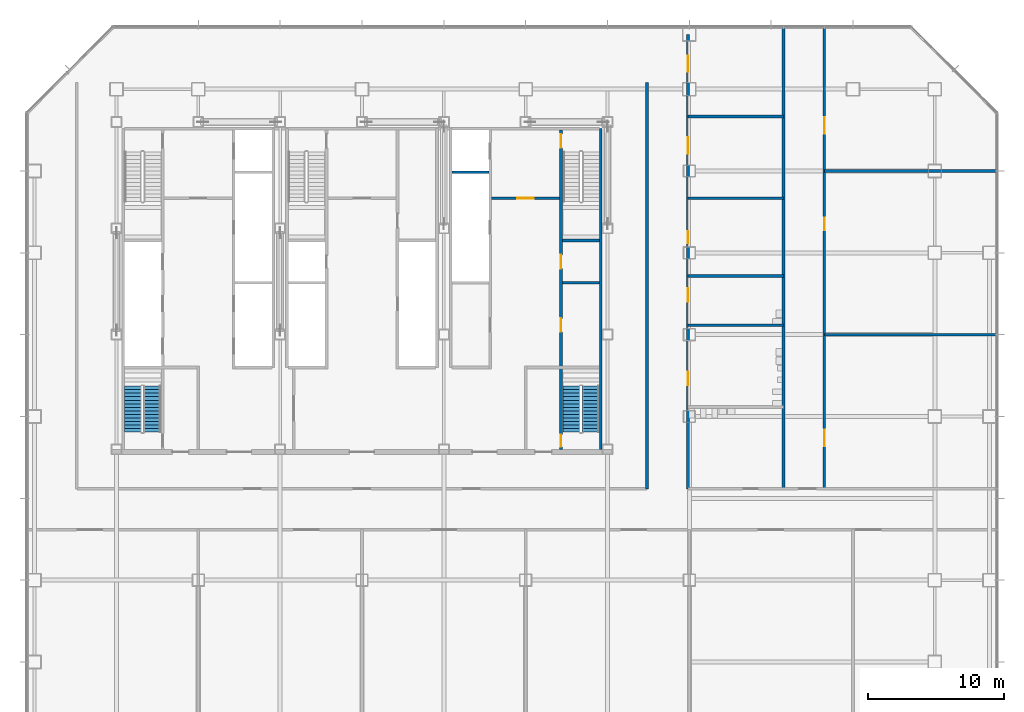
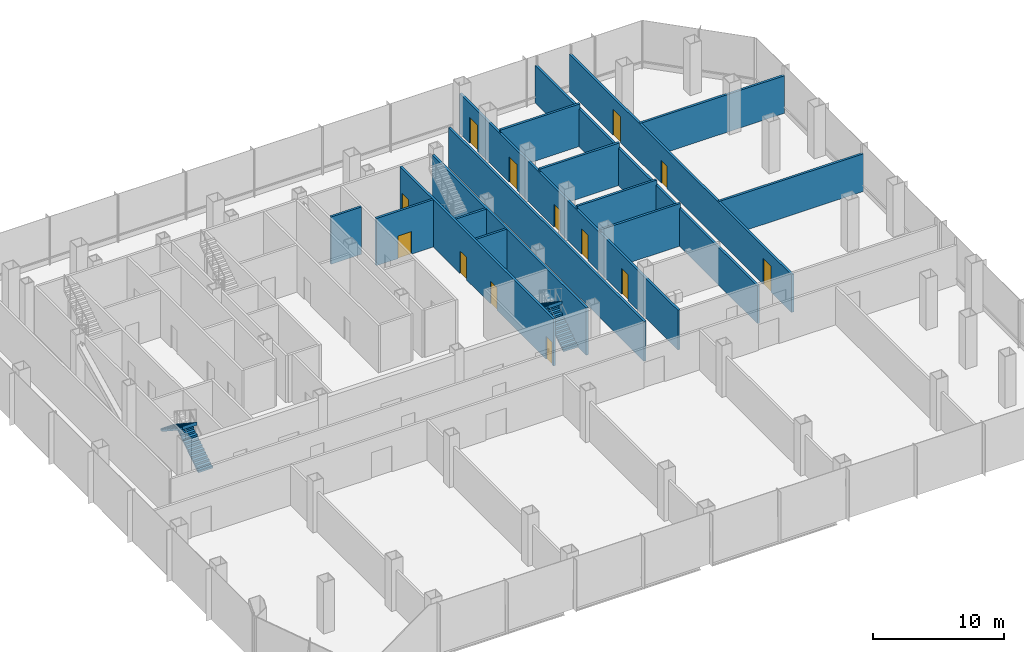
# One storey, part 25 of 33: 16 walls, 13 doors, 4 stair flights, 13 openings, 2 elements without a shape of their own.
"""IFC4 building model written with IfcOpenShell, lengths in metres."""

from ifc_helpers import new_model, si_unit, direction, frame, frame_2d, origin, place, context, subcontext, project, spatial, polyline, rectangle, outline, extrude, material, layer, layer_set, type_object, element, fill, aggregate, save


model = new_model("IFC4")

# Units and contexts
model_context = context("Model", 3, precision=1e-05, world=origin(), true_north=direction((0.0, 1.0)))
body_context = subcontext(model_context, "Body", "Model", "MODEL_VIEW")
ifc_project = project(units=[si_unit("LENGTHUNIT", "METRE"), si_unit("AREAUNIT", "SQUARE_METRE"), si_unit("VOLUMEUNIT", "CUBIC_METRE"), si_unit("PLANEANGLEUNIT", "RADIAN"), si_unit("MASSUNIT", "GRAM", prefix="KILO")], contexts=[model_context])

# Site, building, storey
site_placement = place(None, origin())
site = spatial("IfcSite", under=ifc_project, at=site_placement, CompositionType="ELEMENT")
building_placement = place(site_placement, origin())
building = spatial("IfcBuilding", under=site, at=building_placement, Name="Sorahane Residences", CompositionType="ELEMENT")
storey_placement = place(building_placement, frame((0.0, 0.0, 30.0)))
storey = spatial("IfcBuildingStorey", under=building, at=storey_placement, Name="L04", CompositionType="ELEMENT", Elevation=30.0)

# Walls
ifc_material_1 = material(Name="Concrete C30", Category="concrete")
ifc_layer_1 = layer(ifc_material_1, 0.199951171875)
ifc_layer_set_1 = layer_set([ifc_layer_1], Name="Core face wall 200 EI 180")
wall_type_1 = type_object("IfcWallType", Name="Core face wall 200 EI 180", PredefinedType="SOLIDWALL", material=ifc_layer_set_1)
wall_1_placement = place(storey_placement, frame((41.5, 21.60009765625, 0.0), z_axis=(0.0, 0.0, 1.0), x_axis=(0.0, 1.0, 0.0)))
element("IfcWall", 1, at=wall_1_placement, inside=storey, type_object=wall_type_1, Name="L04 core face wall", PredefinedType="SOLIDWALL", context=body_context, shape_type="SweptSolid", body=[
    extrude(rectangle(XDim=23.5, YDim=0.199951171875, at=frame_2d((11.75, 0.0))), origin(), (0.0, 0.0, 1.0), 4.39990234375),
])
ifc_material_2 = material(Name="Concrete blockwork C20 wall", Category="masonry")
ifc_layer_2 = layer(ifc_material_2, 0.199951171875)
ifc_layer_set_2 = layer_set([ifc_layer_2], Name="Corridor wall 200 EI 120")
wall_type_2 = type_object("IfcWallType", Name="Corridor wall 200 EI 120", PredefinedType="SOLIDWALL", material=ifc_layer_set_2)
wall_2_placement = place(storey_placement, frame((44.89990234375, 18.699951171875, 0.0), z_axis=(0.0, 0.0, 1.0), x_axis=(0.0, 1.0, 0.0)))
element("IfcWall", 2, at=wall_2_placement, inside=storey, type_object=wall_type_2, Name="L04 corridor wall", PredefinedType="SOLIDWALL", context=body_context, shape_type="SweptSolid", body=[
    extrude(rectangle(XDim=29.800048828125, YDim=0.199951171875, at=frame_2d((14.89990234375, 0.0))), origin(), (0.0, 0.0, 1.0), 3.699951171875),
])

# Wall, openings, doors
wall_3_placement = place(storey_placement, frame((47.89990234375, 18.699951171875, 0.0), z_axis=(0.0, 0.0, 1.0), x_axis=(0.0, 1.0, 0.0)))
wall_3 = element("IfcWall", 3, at=wall_3_placement, inside=storey, type_object=wall_type_2, Name="L04 corridor wall", PredefinedType="SOLIDWALL", context=body_context, shape_type="SweptSolid", body=[
    extrude(rectangle(XDim=33.300048828125, YDim=0.199951171875, at=frame_2d((16.64990234375, 0.0))), origin(), (0.0, 0.0, 1.0), 3.699951171875),
])
opening_1_placement = place(wall_3_placement, frame((7.60009765625, 0.0, 0.0)))
opening_1 = element("IfcOpeningElement", 4, at=opening_1_placement, cuts=wall_3, Name="Opening L04-08", PredefinedType="OPENING", context=body_context, shape_type="SweptSolid", body=[
    extrude(rectangle(XDim=1.0, YDim=2.39990234375, at=frame_2d((0.5, 1.199951171875))), frame((0.0, 0.10986328125, 0.0), z_axis=(0.0, -1.0, 0.0), x_axis=(1.0, 0.0, 0.0)), (0.0, 0.0, 1.0), 0.219970703125),
])
opening_2_placement = place(wall_3_placement, frame((13.719970703125, 0.0, 0.0)))
opening_2 = element("IfcOpeningElement", 5, at=opening_2_placement, cuts=wall_3, Name="Opening L04-09", PredefinedType="OPENING", context=body_context, shape_type="SweptSolid", body=[
    extrude(rectangle(XDim=1.0, YDim=2.39990234375, at=frame_2d((0.5, 1.199951171875))), frame((0.0, 0.10986328125, 0.0), z_axis=(0.0, -1.0, 0.0), x_axis=(1.0, 0.0, 0.0)), (0.0, 0.0, 1.0), 0.219970703125),
])
opening_3_placement = place(wall_3_placement, frame((18.0, 0.0, 0.0)))
opening_3 = element("IfcOpeningElement", 6, at=opening_3_placement, cuts=wall_3, Name="Opening L04-10", PredefinedType="OPENING", context=body_context, shape_type="SweptSolid", body=[
    extrude(rectangle(XDim=0.89990234375, YDim=2.10009765625, at=frame_2d((0.449951171875, 1.050048828125))), frame((0.0, 0.10986328125, 0.0), z_axis=(0.0, -1.0, 0.0), x_axis=(1.0, 0.0, 0.0)), (0.0, 0.0, 1.0), 0.219970703125),
])
opening_4_placement = place(wall_3_placement, frame((24.56005859375, 0.0, 0.0)))
opening_4 = element("IfcOpeningElement", 7, at=opening_4_placement, cuts=wall_3, Name="Opening L04-11", PredefinedType="OPENING", context=body_context, shape_type="SweptSolid", body=[
    extrude(rectangle(XDim=1.199951171875, YDim=2.39990234375, at=frame_2d((0.60009765625, 1.199951171875))), frame((0.0, 0.10986328125, 0.0), z_axis=(0.0, -1.0, 0.0), x_axis=(1.0, 0.0, 0.0)), (0.0, 0.0, 1.0), 0.219970703125),
])
opening_5_placement = place(wall_3_placement, frame((30.56005859375, 0.0, 0.0)))
opening_5 = element("IfcOpeningElement", 8, at=opening_5_placement, cuts=wall_3, Name="Opening L04-12", PredefinedType="OPENING", context=body_context, shape_type="SweptSolid", body=[
    extrude(rectangle(XDim=1.199951171875, YDim=2.39990234375, at=frame_2d((0.60009765625, 1.199951171875))), frame((0.0, 0.10986328125, 0.0), z_axis=(0.0, -1.0, 0.0), x_axis=(1.0, 0.0, 0.0)), (0.0, 0.0, 1.0), 0.219970703125),
])
ifc_material_3 = material(Name="Steel", Category="steel")
door_type_1 = type_object("IfcDoorType", Name="Plant door 1200x2400 FD60", OperationType="NOTDEFINED", PredefinedType="DOOR", material=ifc_material_3)
door_1_placement = place(opening_4_placement, frame((1.199951171875, 0.0, 0.0), z_axis=(0.0, 0.0, 1.0), x_axis=(-1.0, 0.0, 0.0)))
door_1 = element("IfcDoor", 9, at=door_1_placement, inside=storey, type_object=door_type_1, Name="Plant door L04-11", OperationType="SINGLE_SWING_LEFT", OverallHeight=2.39990234375, OverallWidth=1.199951171875, PredefinedType="DOOR", context=body_context, shape_type="SweptSolid", body=[
    extrude(rectangle(XDim=1.199951171875, YDim=2.39990234375, at=frame_2d((0.60009765625, 1.199951171875))), frame((0.0, 0.02490234375, 0.0), z_axis=(0.0, -1.0, 0.0), x_axis=(1.0, 0.0, 0.0)), (0.0, 0.0, 1.0), 0.050048828125),
])
fill(opening_4, door_1)
door_2_placement = place(opening_5_placement, frame((1.199951171875, 0.0, 0.0), z_axis=(0.0, 0.0, 1.0), x_axis=(-1.0, 0.0, 0.0)))
door_2 = element("IfcDoor", 10, at=door_2_placement, inside=storey, type_object=door_type_1, Name="Plant door L04-12", OperationType="SINGLE_SWING_LEFT", OverallHeight=2.39990234375, OverallWidth=1.199951171875, PredefinedType="DOOR", context=body_context, shape_type="SweptSolid", body=[
    extrude(rectangle(XDim=1.199951171875, YDim=2.39990234375, at=frame_2d((0.60009765625, 1.199951171875))), frame((0.0, 0.02490234375, 0.0), z_axis=(0.0, -1.0, 0.0), x_axis=(1.0, 0.0, 0.0)), (0.0, 0.0, 1.0), 0.050048828125),
])
fill(opening_5, door_2)
ifc_material_4 = material(Name="Timber veneered fire door", Category="wood")
door_type_2 = type_object("IfcDoorType", Name="Room door 1000x2400 FD30", OperationType="NOTDEFINED", PredefinedType="DOOR", material=ifc_material_4)
door_3_placement = place(opening_1_placement, frame((1.0, 0.0, 0.0), z_axis=(0.0, 0.0, 1.0), x_axis=(-1.0, 0.0, 0.0)))
door_3 = element("IfcDoor", 11, at=door_3_placement, inside=storey, type_object=door_type_2, Name="Room door L04-08", OperationType="SINGLE_SWING_LEFT", OverallHeight=2.39990234375, OverallWidth=1.0, PredefinedType="DOOR", context=body_context, shape_type="SweptSolid", body=[
    extrude(rectangle(XDim=1.0, YDim=2.39990234375, at=frame_2d((0.5, 1.199951171875))), frame((0.0, 0.02490234375, 0.0), z_axis=(0.0, -1.0, 0.0), x_axis=(1.0, 0.0, 0.0)), (0.0, 0.0, 1.0), 0.050048828125),
])
fill(opening_1, door_3)
door_4_placement = place(opening_2_placement, frame((1.0, 0.0, 0.0), z_axis=(0.0, 0.0, 1.0), x_axis=(-1.0, 0.0, 0.0)))
door_4 = element("IfcDoor", 12, at=door_4_placement, inside=storey, type_object=door_type_2, Name="Room door L04-09", OperationType="SINGLE_SWING_RIGHT", OverallHeight=2.39990234375, OverallWidth=1.0, PredefinedType="DOOR", context=body_context, shape_type="SweptSolid", body=[
    extrude(rectangle(XDim=1.0, YDim=2.39990234375, at=frame_2d((0.5, 1.199951171875))), frame((0.0, 0.02490234375, 0.0), z_axis=(0.0, -1.0, 0.0), x_axis=(1.0, 0.0, 0.0)), (0.0, 0.0, 1.0), 0.050048828125),
])
fill(opening_2, door_4)
ifc_material_5 = material(Name="Timber veneered fire door", Category="wood")
door_type_3 = type_object("IfcDoorType", Name="Service door 900x2100 FD30", OperationType="NOTDEFINED", PredefinedType="DOOR", material=ifc_material_5)
door_5_placement = place(opening_3_placement, frame((0.89990234375, 0.0, 0.0), z_axis=(0.0, 0.0, 1.0), x_axis=(-1.0, 0.0, 0.0)))
door_5 = element("IfcDoor", 13, at=door_5_placement, inside=storey, type_object=door_type_3, Name="Service door L04-10", OperationType="SINGLE_SWING_LEFT", OverallHeight=2.10009765625, OverallWidth=0.89990234375, PredefinedType="DOOR", context=body_context, shape_type="SweptSolid", body=[
    extrude(rectangle(XDim=0.89990234375, YDim=2.10009765625, at=frame_2d((0.449951171875, 1.050048828125))), frame((0.0, 0.02490234375, 0.0), z_axis=(0.0, -1.0, 0.0), x_axis=(1.0, 0.0, 0.0)), (0.0, 0.0, 1.0), 0.050048828125),
])
fill(opening_3, door_5)

# Wall
wall_4_placement = place(storey_placement, frame((54.89990234375, 18.699951171875, 0.0), z_axis=(0.0, 0.0, 1.0), x_axis=(0.0, 1.0, 0.0)))
element("IfcWall", 14, at=wall_4_placement, inside=storey, type_object=wall_type_2, Name="L04 corridor wall", PredefinedType="SOLIDWALL", context=body_context, shape_type="SweptSolid", body=[
    extrude(rectangle(XDim=33.900146484375, YDim=0.199951171875, at=frame_2d((16.9501953125, 0.0))), origin(), (0.0, 0.0, 1.0), 3.5),
])

# Wall, openings, doors
wall_5_placement = place(storey_placement, frame((57.89990234375, 18.699951171875, 0.0), z_axis=(0.0, 0.0, 1.0), x_axis=(0.0, 1.0, 0.0)))
wall_5 = element("IfcWall", 15, at=wall_5_placement, inside=storey, type_object=wall_type_2, Name="L04 corridor wall", PredefinedType="SOLIDWALL", context=body_context, shape_type="SweptSolid", body=[
    extrude(rectangle(XDim=33.900146484375, YDim=0.199951171875, at=frame_2d((16.9501953125, 0.0))), origin(), (0.0, 0.0, 1.0), 3.5),
])
opening_6_placement = place(wall_5_placement, frame((3.1298828125, 0.0, 0.0)))
opening_6 = element("IfcOpeningElement", 16, at=opening_6_placement, cuts=wall_5, Name="Opening L04-14", PredefinedType="OPENING", context=body_context, shape_type="SweptSolid", body=[
    extrude(rectangle(XDim=1.199951171875, YDim=2.39990234375, at=frame_2d((0.60009765625, 1.199951171875))), frame((0.0, 0.10986328125, 0.0), z_axis=(0.0, -1.0, 0.0), x_axis=(1.0, 0.0, 0.0)), (0.0, 0.0, 1.0), 0.219970703125),
])
opening_7_placement = place(wall_5_placement, frame((18.969970703125, 0.0, 0.0)))
opening_7 = element("IfcOpeningElement", 17, at=opening_7_placement, cuts=wall_5, Name="Opening L04-15", PredefinedType="OPENING", context=body_context, shape_type="SweptSolid", body=[
    extrude(rectangle(XDim=0.89990234375, YDim=2.10009765625, at=frame_2d((0.449951171875, 1.050048828125))), frame((0.0, 0.10986328125, 0.0), z_axis=(0.0, -1.0, 0.0), x_axis=(1.0, 0.0, 0.0)), (0.0, 0.0, 1.0), 0.219970703125),
])
opening_8_placement = place(wall_5_placement, frame((26.0400390625, 0.0, 0.0)))
opening_8 = element("IfcOpeningElement", 18, at=opening_8_placement, cuts=wall_5, Name="Opening L04-16", PredefinedType="OPENING", context=body_context, shape_type="SweptSolid", body=[
    extrude(rectangle(XDim=1.199951171875, YDim=2.39990234375, at=frame_2d((0.60009765625, 1.199951171875))), frame((0.0, 0.10986328125, 0.0), z_axis=(0.0, -1.0, 0.0), x_axis=(1.0, 0.0, 0.0)), (0.0, 0.0, 1.0), 0.219970703125),
])
door_6_placement = place(opening_6_placement, frame((1.199951171875, 0.0, 0.0), z_axis=(0.0, 0.0, 1.0), x_axis=(-1.0, 0.0, 0.0)))
door_6 = element("IfcDoor", 19, at=door_6_placement, inside=storey, type_object=door_type_1, Name="Plant door L04-14", OperationType="SINGLE_SWING_RIGHT", OverallHeight=2.39990234375, OverallWidth=1.199951171875, PredefinedType="DOOR", context=body_context, shape_type="SweptSolid", body=[
    extrude(rectangle(XDim=1.199951171875, YDim=2.39990234375, at=frame_2d((0.60009765625, 1.199951171875))), frame((0.0, 0.02490234375, 0.0), z_axis=(0.0, -1.0, 0.0), x_axis=(1.0, 0.0, 0.0)), (0.0, 0.0, 1.0), 0.050048828125),
])
fill(opening_6, door_6)
door_7_placement = place(opening_8_placement, frame((1.199951171875, 0.0, 0.0), z_axis=(0.0, 0.0, 1.0), x_axis=(-1.0, 0.0, 0.0)))
door_7 = element("IfcDoor", 20, at=door_7_placement, inside=storey, type_object=door_type_1, Name="Plant door L04-16", OperationType="SINGLE_SWING_LEFT", OverallHeight=2.39990234375, OverallWidth=1.199951171875, PredefinedType="DOOR", context=body_context, shape_type="SweptSolid", body=[
    extrude(rectangle(XDim=1.199951171875, YDim=2.39990234375, at=frame_2d((0.60009765625, 1.199951171875))), frame((0.0, 0.02490234375, 0.0), z_axis=(0.0, -1.0, 0.0), x_axis=(1.0, 0.0, 0.0)), (0.0, 0.0, 1.0), 0.050048828125),
])
fill(opening_8, door_7)
door_8_placement = place(opening_7_placement, frame((0.89990234375, 0.0, 0.0), z_axis=(0.0, 0.0, 1.0), x_axis=(-1.0, 0.0, 0.0)))
door_8 = element("IfcDoor", 21, at=door_8_placement, inside=storey, type_object=door_type_3, Name="Service door L04-15", OperationType="SINGLE_SWING_LEFT", OverallHeight=2.10009765625, OverallWidth=0.89990234375, PredefinedType="DOOR", context=body_context, shape_type="SweptSolid", body=[
    extrude(rectangle(XDim=0.89990234375, YDim=2.10009765625, at=frame_2d((0.449951171875, 1.050048828125))), frame((0.0, 0.02490234375, 0.0), z_axis=(0.0, -1.0, 0.0), x_axis=(1.0, 0.0, 0.0)), (0.0, 0.0, 1.0), 0.050048828125),
])
fill(opening_7, door_8)

# Walls
wall_6_placement = place(storey_placement, frame((57.89990234375, 30.0, 0.0), z_axis=(0.0, 0.0, 1.0), x_axis=(1.0, 0.0, 0.0)))
element("IfcWall", 22, at=wall_6_placement, inside=storey, type_object=wall_type_2, Name="L04 corridor wall", PredefinedType="SOLIDWALL", context=body_context, shape_type="SweptSolid", body=[
    extrude(rectangle(XDim=12.7001953125, YDim=0.199951171875, at=frame_2d((6.35009765625, 0.0))), origin(), (0.0, 0.0, 1.0), 3.5),
])
for number, where, z_axis, x_axis, name in (
    (23, (47.89990234375, 30.699951171875, 0.0), (0.0, 0.0, 1.0), (1.0, 0.0, 0.0), "L04 corridor wall"),
    (24, (47.89990234375, 34.300048828125, 0.0), (0.0, 0.0, 1.0), (1.0, 0.0, 0.0), "L04 corridor wall"),
    (25, (47.89990234375, 40.0, 0.0), (0.0, 0.0, 1.0), (1.0, 0.0, 0.0), "L04 corridor wall"),
):
    element("IfcWall", number, at=place(storey_placement, frame(where, z_axis=z_axis, x_axis=x_axis)), inside=storey, type_object=wall_type_2, Name=name, PredefinedType="SOLIDWALL", context=body_context, shape_type="SweptSolid", body=[
        extrude(rectangle(XDim=7.0, YDim=0.199951171875, at=frame_2d((3.5, 0.0))), origin(), (0.0, 0.0, 1.0), 3.949951171875),
    ])
wall_7_placement = place(storey_placement, frame((57.89990234375, 42.0, 0.0), z_axis=(0.0, 0.0, 1.0), x_axis=(1.0, 0.0, 0.0)))
element("IfcWall", 26, at=wall_7_placement, inside=storey, type_object=wall_type_2, Name="L04 corridor wall", PredefinedType="SOLIDWALL", context=body_context, shape_type="SweptSolid", body=[
    extrude(rectangle(XDim=12.7001953125, YDim=0.199951171875, at=frame_2d((6.35009765625, 0.0))), origin(), (0.0, 0.0, 1.0), 3.5),
])
wall_8_placement = place(storey_placement, frame((47.89990234375, 46.0, 0.0), z_axis=(0.0, 0.0, 1.0), x_axis=(1.0, 0.0, 0.0)))
element("IfcWall", 27, at=wall_8_placement, inside=storey, type_object=wall_type_2, Name="L04 corridor wall", PredefinedType="SOLIDWALL", context=body_context, shape_type="SweptSolid", body=[
    extrude(rectangle(XDim=7.0, YDim=0.199951171875, at=frame_2d((3.5, 0.0))), origin(), (0.0, 0.0, 1.0), 3.949951171875),
])

# Wall, opening, door
ifc_material_6 = material(Name="Concrete C30", Category="concrete")
ifc_layer_3 = layer(ifc_material_6, 0.199951171875)
ifc_layer_set_3 = layer_set([ifc_layer_3], Name="Front room wall 200 EI 120")
wall_type_3 = type_object("IfcWallType", Name="Front room wall 200 EI 120", PredefinedType="PARTITIONING", material=ifc_layer_set_3)
wall_9_placement = place(storey_placement, frame((33.5, 40.0, 0.0), z_axis=(0.0, 0.0, 1.0), x_axis=(1.0, 0.0, 0.0)))
wall_9 = element("IfcWall", 28, at=wall_9_placement, inside=storey, type_object=wall_type_3, Name="L04 front room wall", PredefinedType="PARTITIONING", context=body_context, shape_type="SweptSolid", body=[
    extrude(rectangle(XDim=5.0, YDim=0.199951171875, at=frame_2d((2.5, 0.0))), origin(), (0.0, 0.0, 1.0), 4.39990234375),
])
opening_9_placement = place(wall_9_placement, frame((1.89990234375, 0.0, 0.0)))
opening_9 = element("IfcOpeningElement", 29, at=opening_9_placement, cuts=wall_9, Name="Opening L04-C09", PredefinedType="OPENING", context=body_context, shape_type="SweptSolid", body=[
    extrude(rectangle(XDim=1.199951171875, YDim=2.10009765625, at=frame_2d((0.60009765625, 1.050048828125))), frame((0.0, 0.10986328125, 0.0), z_axis=(0.0, -1.0, 0.0), x_axis=(1.0, 0.0, 0.0)), (0.0, 0.0, 1.0), 0.219970703125),
])
ifc_material_7 = material(Name="Steel", Category="steel")
door_type_4 = type_object("IfcDoorType", Name="Front room door 1200x2100 FD120", OperationType="NOTDEFINED", PredefinedType="DOOR", material=ifc_material_7)
door_9_placement = place(opening_9_placement, frame((1.199951171875, 0.0, 0.0), z_axis=(0.0, 0.0, 1.0), x_axis=(-1.0, 0.0, 0.0)))
door_9 = element("IfcDoor", 30, at=door_9_placement, inside=storey, type_object=door_type_4, Name="Front room door Firefighting lobby FF2 front room L04", OperationType="DOUBLE_DOOR_SINGLE_SWING", OverallHeight=2.10009765625, OverallWidth=1.199951171875, PredefinedType="DOOR", context=body_context, shape_type="SweptSolid", body=[
    extrude(rectangle(XDim=1.199951171875, YDim=2.10009765625, at=frame_2d((0.60009765625, 1.050048828125))), frame((0.0, 0.02490234375, 0.0), z_axis=(0.0, -1.0, 0.0), x_axis=(1.0, 0.0, 0.0)), (0.0, 0.0, 1.0), 0.050048828125),
])
fill(opening_9, door_9)

# Walls
ifc_material_8 = material(Name="Concrete C30", Category="concrete")
ifc_layer_4 = layer(ifc_material_8, 0.199951171875)
ifc_layer_set_4 = layer_set([ifc_layer_4], Name="Lift shaft wall 200 EI 120")
wall_type_4 = type_object("IfcWallType", Name="Lift shaft wall 200 EI 120", PredefinedType="SOLIDWALL", material=ifc_layer_set_4)
wall_10_placement = place(storey_placement, frame((30.60009765625, 41.89990234375, 0.0), z_axis=(0.0, 0.0, 1.0), x_axis=(1.0, 0.0, 0.0)))
element("IfcWall", 31, at=wall_10_placement, inside=storey, type_object=wall_type_4, Name="L04 lift shaft wall", PredefinedType="SOLIDWALL", context=body_context, shape_type="SweptSolid", body=[
    extrude(rectangle(XDim=2.699951171875, YDim=0.199951171875, at=frame_2d((1.35009765625, 0.0))), origin(), (0.0, 0.0, 1.0), 4.39990234375),
])
ifc_material_9 = material(Name="Concrete C30", Category="concrete")
ifc_layer_5 = layer(ifc_material_9, 0.199951171875)
ifc_layer_set_5 = layer_set([ifc_layer_5], Name="Service room partition 200 EI 60")
wall_type_5 = type_object("IfcWallType", Name="Service room partition 200 EI 60", PredefinedType="PARTITIONING", material=ifc_layer_set_5)
wall_11_placement = place(storey_placement, frame((38.699951171875, 33.800048828125, 0.0), z_axis=(0.0, 0.0, 1.0), x_axis=(1.0, 0.0, 0.0)))
element("IfcWall", 32, at=wall_11_placement, inside=storey, type_object=wall_type_5, Name="L04 service room wall", PredefinedType="PARTITIONING", context=body_context, shape_type="SweptSolid", body=[
    extrude(rectangle(XDim=2.699951171875, YDim=0.199951171875, at=frame_2d((1.35009765625, 0.0))), origin(), (0.0, 0.0, 1.0), 4.39990234375),
])

# Wall, openings, doors
ifc_material_10 = material(Name="Concrete C30", Category="concrete")
ifc_layer_6 = layer(ifc_material_10, 0.199951171875)
ifc_layer_set_6 = layer_set([ifc_layer_6], Name="Stair enclosure wall 200 EI 120")
wall_type_6 = type_object("IfcWallType", Name="Stair enclosure wall 200 EI 120", PredefinedType="SOLIDWALL", material=ifc_layer_set_6)
wall_12_placement = place(storey_placement, frame((38.60009765625, 21.60009765625, 0.0), z_axis=(0.0, 0.0, 1.0), x_axis=(0.0, 1.0, 0.0)))
wall_12 = element("IfcWall", 33, at=wall_12_placement, inside=storey, type_object=wall_type_6, Name="L04 stair enclosure wall", PredefinedType="SOLIDWALL", context=body_context, shape_type="SweptSolid", body=[
    extrude(rectangle(XDim=23.39990234375, YDim=0.199951171875, at=frame_2d((11.699951171875, 0.0))), origin(), (0.0, 0.0, 1.0), 4.39990234375),
])
opening_10_placement = place(wall_12_placement, frame((8.60009765625, 0.0, 0.0)))
opening_10 = element("IfcOpeningElement", 34, at=opening_10_placement, cuts=wall_12, Name="Opening L04-C17", PredefinedType="OPENING", context=body_context, shape_type="SweptSolid", body=[
    extrude(rectangle(XDim=1.0, YDim=2.10009765625, at=frame_2d((0.5, 1.050048828125))), frame((0.0, 0.10986328125, 0.0), z_axis=(0.0, -1.0, 0.0), x_axis=(1.0, 0.0, 0.0)), (0.0, 0.0, 1.0), 0.219970703125),
])
opening_11_placement = place(wall_12_placement, frame((13.25, 0.0, 0.0)))
opening_11 = element("IfcOpeningElement", 35, at=opening_11_placement, cuts=wall_12, Name="Opening L04-C18", PredefinedType="OPENING", context=body_context, shape_type="SweptSolid", body=[
    extrude(rectangle(XDim=1.0, YDim=2.10009765625, at=frame_2d((0.5, 1.050048828125))), frame((0.0, 0.10986328125, 0.0), z_axis=(0.0, -1.0, 0.0), x_axis=(1.0, 0.0, 0.0)), (0.0, 0.0, 1.0), 0.219970703125),
])
opening_12_placement = place(wall_12_placement, frame((22.10009765625, 0.0, 0.0)))
opening_12 = element("IfcOpeningElement", 36, at=opening_12_placement, cuts=wall_12, Name="Opening L04-C21", PredefinedType="OPENING", context=body_context, shape_type="SweptSolid", body=[
    extrude(rectangle(XDim=1.0, YDim=2.10009765625, at=frame_2d((0.5, 1.050048828125))), frame((0.0, 0.10986328125, 0.0), z_axis=(0.0, -1.0, 0.0), x_axis=(1.0, 0.0, 0.0)), (0.0, 0.0, 1.0), 0.219970703125),
])
opening_13_placement = place(wall_12_placement, frame((0.175048828125, 0.0, 0.0)))
opening_13 = element("IfcOpeningElement", 37, at=opening_13_placement, cuts=wall_12, Name="Opening L04-C24", PredefinedType="OPENING", context=body_context, shape_type="SweptSolid", body=[
    extrude(rectangle(XDim=0.89990234375, YDim=2.10009765625, at=frame_2d((0.449951171875, 1.050048828125))), frame((0.0, 0.10986328125, 0.0), z_axis=(0.0, -1.0, 0.0), x_axis=(1.0, 0.0, 0.0)), (0.0, 0.0, 1.0), 0.219970703125),
])
ifc_material_11 = material(Name="Steel", Category="steel")
door_type_5 = type_object("IfcDoorType", Name="Service room door 1000x2100 FD60", OperationType="NOTDEFINED", PredefinedType="DOOR", material=ifc_material_11)
door_10_placement = place(opening_10_placement, frame((1.0, 0.0, 0.0), z_axis=(0.0, 0.0, 1.0), x_axis=(-1.0, 0.0, 0.0)))
door_10 = element("IfcDoor", 38, at=door_10_placement, inside=storey, type_object=door_type_5, Name="Service room door Guest suite store L04", OperationType="SINGLE_SWING_RIGHT", OverallHeight=2.10009765625, OverallWidth=1.0, PredefinedType="DOOR", context=body_context, shape_type="SweptSolid", body=[
    extrude(rectangle(XDim=1.0, YDim=2.10009765625, at=frame_2d((0.5, 1.050048828125))), frame((0.0, 0.02490234375, 0.0), z_axis=(0.0, -1.0, 0.0), x_axis=(1.0, 0.0, 0.0)), (0.0, 0.0, 1.0), 0.050048828125),
])
fill(opening_10, door_10)
door_11_placement = place(opening_11_placement, frame((1.0, 0.0, 0.0), z_axis=(0.0, 0.0, 1.0), x_axis=(-1.0, 0.0, 0.0)))
door_11 = element("IfcDoor", 39, at=door_11_placement, inside=storey, type_object=door_type_5, Name="Service room door Guest suite store L04", OperationType="SINGLE_SWING_LEFT", OverallHeight=2.10009765625, OverallWidth=1.0, PredefinedType="DOOR", context=body_context, shape_type="SweptSolid", body=[
    extrude(rectangle(XDim=1.0, YDim=2.10009765625, at=frame_2d((0.5, 1.050048828125))), frame((0.0, 0.02490234375, 0.0), z_axis=(0.0, -1.0, 0.0), x_axis=(1.0, 0.0, 0.0)), (0.0, 0.0, 1.0), 0.050048828125),
])
fill(opening_11, door_11)
ifc_material_12 = material(Name="Steel", Category="steel")
door_type_6 = type_object("IfcDoorType", Name="Stair door 1000x2100 FD120", OperationType="NOTDEFINED", PredefinedType="DOOR", material=ifc_material_12)
door_12_placement = place(opening_12_placement, frame((1.0, 0.0, 0.0), z_axis=(0.0, 0.0, 1.0), x_axis=(-1.0, 0.0, 0.0)))
door_12 = element("IfcDoor", 40, at=door_12_placement, inside=storey, type_object=door_type_6, Name="Stair door S2 L04", OperationType="SINGLE_SWING_LEFT", OverallHeight=2.10009765625, OverallWidth=1.0, PredefinedType="DOOR", context=body_context, shape_type="SweptSolid", body=[
    extrude(rectangle(XDim=1.0, YDim=2.10009765625, at=frame_2d((0.5, 1.050048828125))), frame((0.0, 0.02490234375, 0.0), z_axis=(0.0, -1.0, 0.0), x_axis=(1.0, 0.0, 0.0)), (0.0, 0.0, 1.0), 0.050048828125),
])
fill(opening_12, door_12)
ifc_material_13 = material(Name="Steel", Category="steel")
door_type_7 = type_object("IfcDoorType", Name="Stair door 900x2100 FD120", OperationType="NOTDEFINED", PredefinedType="DOOR", material=ifc_material_13)
door_13_placement = place(opening_13_placement, frame((0.89990234375, 0.0, 0.0), z_axis=(0.0, 0.0, 1.0), x_axis=(-1.0, 0.0, 0.0)))
door_13 = element("IfcDoor", 41, at=door_13_placement, inside=storey, type_object=door_type_7, Name="Stair door S5 L04", OperationType="SINGLE_SWING_LEFT", OverallHeight=2.10009765625, OverallWidth=0.89990234375, PredefinedType="DOOR", context=body_context, shape_type="SweptSolid", body=[
    extrude(rectangle(XDim=0.89990234375, YDim=2.10009765625, at=frame_2d((0.449951171875, 1.050048828125))), frame((0.0, 0.02490234375, 0.0), z_axis=(0.0, -1.0, 0.0), x_axis=(1.0, 0.0, 0.0)), (0.0, 0.0, 1.0), 0.050048828125),
])
fill(opening_13, door_13)

# Wall
wall_13_placement = place(storey_placement, frame((38.699951171875, 36.89990234375, 0.0), z_axis=(0.0, 0.0, 1.0), x_axis=(1.0, 0.0, 0.0)))
element("IfcWall", 42, at=wall_13_placement, inside=storey, type_object=wall_type_6, Name="L04 stair enclosure wall", PredefinedType="SOLIDWALL", context=body_context, shape_type="SweptSolid", body=[
    extrude(rectangle(XDim=2.699951171875, YDim=0.199951171875, at=frame_2d((1.35009765625, 0.0))), origin(), (0.0, 0.0, 1.0), 4.39990234375),
])

# Stair, stair flights
ifc_material_14 = material(Name="Concrete C40", Category="concrete")
stair_type = type_object("IfcStairType", Name="Dog-leg stair 1250 Concrete C40", PredefinedType="HALF_TURN_STAIR", material=ifc_material_14)
stair_1_placement = place(storey_placement, origin())
stair_1 = element("IfcStair", 43, at=stair_1_placement, inside=storey, type_object=stair_type, Name="L04 Stair S4", PredefinedType="HALF_TURN_STAIR")
ifc_material_15 = material(Name="Concrete C40", Category="concrete")
stair_flight_type = type_object("IfcStairFlightType", Name="Stair flight 1250 Concrete C40", PredefinedType="STRAIGHT", material=ifc_material_15)
stair_flight_1_placement = place(storey_placement, frame((8.625, 22.85009765625, 0.0), z_axis=(0.0, 0.0, 1.0), x_axis=(0.0, 1.0, 0.0)))
stair_flight_1 = element("IfcStairFlight", 44, at=stair_flight_1_placement, type_object=stair_flight_type, Name="S4 flight 1", NumberOfRisers=14, NumberOfTreads=13, PredefinedType="STRAIGHT", RiserHeight=0.171428571, TreadLength=0.26, context=body_context, shape_type="SweptSolid", body=[
    extrude(outline(polyline([(-0.00146484375, 0.0), (-0.00146484375, 0.17138671875), (0.0, 0.17138671875), (0.260009765625, 0.17138671875), (0.260009765625, 0.3427734375), (0.52001953125, 0.3427734375), (0.52001953125, 0.514404296875), (0.780029296875, 0.514404296875), (0.780029296875, 0.685791015625), (1.0400390625, 0.685791015625), (1.0400390625, 0.857177734375), (1.300048828125, 0.857177734375), (1.300048828125, 1.028564453125), (1.56005859375, 1.028564453125), (1.56005859375, 1.199951171875), (1.820068359375, 1.199951171875), (1.820068359375, 1.371337890625), (2.080078125, 1.371337890625), (2.080078125, 1.54296875), (2.340087890625, 1.54296875), (2.340087890625, 1.71435546875), (2.60009765625, 1.71435546875), (2.60009765625, 1.8857421875), (2.860107421875, 1.8857421875), (2.860107421875, 2.05712890625), (3.1201171875, 2.05712890625), (3.1201171875, 2.228515625), (3.3798828125, 2.228515625), (3.3798828125, 2.39990234375), (3.3798828125, 2.084716796875), (3.169189453125, 1.94580078125), (2.95849609375, 1.806640625), (2.74755859375, 1.667724609375), (2.536865234375, 1.52880859375), (2.326171875, 1.389892578125), (2.115234375, 1.250732421875), (1.904541015625, 1.11181640625), (1.693603515625, 0.972900390625), (1.48291015625, 0.833984375), (1.272216796875, 0.69482421875), (1.061279296875, 0.555908203125), (0.8505859375, 0.4169921875), (0.639892578125, 0.278076171875), (0.428955078125, 0.138916015625), (0.21826171875, 0.0), (-0.00146484375, 0.0)])), frame((0.0, 0.625, 0.0), z_axis=(0.0, -1.0, 0.0), x_axis=(1.0, 0.0, 0.0)), (0.0, 0.0, 1.0), 1.25),
])
stair_flight_2_placement = place(storey_placement, frame((7.22509765625, 26.22998046875, 2.39990234375), z_axis=(0.0, 0.0, 1.0), x_axis=(0.0, -1.0, 0.0)))
stair_flight_2 = element("IfcStairFlight", 45, at=stair_flight_2_placement, type_object=stair_flight_type, Name="S4 flight 2", NumberOfRisers=14, NumberOfTreads=13, PredefinedType="STRAIGHT", RiserHeight=0.171428571, TreadLength=0.26, context=body_context, shape_type="SweptSolid", body=[
    extrude(outline(polyline([(0.0, 0.0), (0.0, 0.17138671875), (0.260009765625, 0.17138671875), (0.260009765625, 0.3427734375), (0.52001953125, 0.3427734375), (0.52001953125, 0.514404296875), (0.780029296875, 0.514404296875), (0.780029296875, 0.685791015625), (1.0400390625, 0.685791015625), (1.0400390625, 0.857177734375), (1.300048828125, 0.857177734375), (1.300048828125, 1.028564453125), (1.56005859375, 1.028564453125), (1.56005859375, 1.199951171875), (1.820068359375, 1.199951171875), (1.820068359375, 1.371337890625), (2.080078125, 1.371337890625), (2.080078125, 1.54296875), (2.340087890625, 1.54296875), (2.340087890625, 1.71435546875), (2.60009765625, 1.71435546875), (2.60009765625, 1.8857421875), (2.860107421875, 1.8857421875), (2.860107421875, 2.05712890625), (3.1201171875, 2.05712890625), (3.1201171875, 2.228515625), (3.3798828125, 2.228515625), (3.3798828125, 2.39990234375), (3.381591796875, 2.39990234375), (3.381591796875, 2.084716796875), (3.170654296875, 1.94580078125), (2.959716796875, 1.806640625), (2.748779296875, 1.667724609375), (2.537841796875, 1.52880859375), (2.3271484375, 1.389892578125), (2.1162109375, 1.250732421875), (1.9052734375, 1.11181640625), (1.6943359375, 0.972900390625), (1.483642578125, 0.833984375), (1.272705078125, 0.69482421875), (1.061767578125, 0.555908203125), (0.850830078125, 0.4169921875), (0.639892578125, 0.278076171875), (0.42919921875, 0.138916015625), (0.21826171875, 0.0), (0.0, 0.0)])), frame((0.0, 0.625, 0.0), z_axis=(0.0, -1.0, 0.0), x_axis=(1.0, 0.0, 0.0)), (0.0, 0.0, 1.0), 1.25),
])
aggregate(stair_1, [stair_flight_1, stair_flight_2])

stair_2_placement = place(storey_placement, origin())
stair_2 = element("IfcStair", 46, at=stair_2_placement, inside=storey, type_object=stair_type, Name="L04 Stair S5", PredefinedType="HALF_TURN_STAIR")
stair_flight_3_placement = place(storey_placement, frame((40.77490234375, 22.85009765625, 0.0), z_axis=(0.0, 0.0, 1.0), x_axis=(0.0, 1.0, 0.0)))
stair_flight_3 = element("IfcStairFlight", 47, at=stair_flight_3_placement, type_object=stair_flight_type, Name="S5 flight 1", NumberOfRisers=14, NumberOfTreads=13, PredefinedType="STRAIGHT", RiserHeight=0.171428571, TreadLength=0.26, context=body_context, shape_type="SweptSolid", body=[
    extrude(outline(polyline([(-0.00146484375, 0.0), (-0.00146484375, 0.17138671875), (0.0, 0.17138671875), (0.260009765625, 0.17138671875), (0.260009765625, 0.3427734375), (0.52001953125, 0.3427734375), (0.52001953125, 0.514404296875), (0.780029296875, 0.514404296875), (0.780029296875, 0.685791015625), (1.0400390625, 0.685791015625), (1.0400390625, 0.857177734375), (1.300048828125, 0.857177734375), (1.300048828125, 1.028564453125), (1.56005859375, 1.028564453125), (1.56005859375, 1.199951171875), (1.820068359375, 1.199951171875), (1.820068359375, 1.371337890625), (2.080078125, 1.371337890625), (2.080078125, 1.54296875), (2.340087890625, 1.54296875), (2.340087890625, 1.71435546875), (2.60009765625, 1.71435546875), (2.60009765625, 1.8857421875), (2.860107421875, 1.8857421875), (2.860107421875, 2.05712890625), (3.1201171875, 2.05712890625), (3.1201171875, 2.228515625), (3.3798828125, 2.228515625), (3.3798828125, 2.39990234375), (3.3798828125, 2.084716796875), (3.169189453125, 1.94580078125), (2.95849609375, 1.806640625), (2.74755859375, 1.667724609375), (2.536865234375, 1.52880859375), (2.326171875, 1.389892578125), (2.115234375, 1.250732421875), (1.904541015625, 1.11181640625), (1.693603515625, 0.972900390625), (1.48291015625, 0.833984375), (1.272216796875, 0.69482421875), (1.061279296875, 0.555908203125), (0.8505859375, 0.4169921875), (0.639892578125, 0.278076171875), (0.428955078125, 0.138916015625), (0.21826171875, 0.0), (-0.00146484375, 0.0)])), frame((0.0, 0.625, 0.0), z_axis=(0.0, -1.0, 0.0), x_axis=(1.0, 0.0, 0.0)), (0.0, 0.0, 1.0), 1.25),
])
stair_flight_4_placement = place(storey_placement, frame((39.375, 26.22998046875, 2.39990234375), z_axis=(0.0, 0.0, 1.0), x_axis=(0.0, -1.0, 0.0)))
stair_flight_4 = element("IfcStairFlight", 48, at=stair_flight_4_placement, type_object=stair_flight_type, Name="S5 flight 2", NumberOfRisers=14, NumberOfTreads=13, PredefinedType="STRAIGHT", RiserHeight=0.171428571, TreadLength=0.26, context=body_context, shape_type="SweptSolid", body=[
    extrude(outline(polyline([(0.0, 0.0), (0.0, 0.17138671875), (0.260009765625, 0.17138671875), (0.260009765625, 0.3427734375), (0.52001953125, 0.3427734375), (0.52001953125, 0.514404296875), (0.780029296875, 0.514404296875), (0.780029296875, 0.685791015625), (1.0400390625, 0.685791015625), (1.0400390625, 0.857177734375), (1.300048828125, 0.857177734375), (1.300048828125, 1.028564453125), (1.56005859375, 1.028564453125), (1.56005859375, 1.199951171875), (1.820068359375, 1.199951171875), (1.820068359375, 1.371337890625), (2.080078125, 1.371337890625), (2.080078125, 1.54296875), (2.340087890625, 1.54296875), (2.340087890625, 1.71435546875), (2.60009765625, 1.71435546875), (2.60009765625, 1.8857421875), (2.860107421875, 1.8857421875), (2.860107421875, 2.05712890625), (3.1201171875, 2.05712890625), (3.1201171875, 2.228515625), (3.3798828125, 2.228515625), (3.3798828125, 2.39990234375), (3.381591796875, 2.39990234375), (3.381591796875, 2.084716796875), (3.170654296875, 1.94580078125), (2.959716796875, 1.806640625), (2.748779296875, 1.667724609375), (2.537841796875, 1.52880859375), (2.3271484375, 1.389892578125), (2.1162109375, 1.250732421875), (1.9052734375, 1.11181640625), (1.6943359375, 0.972900390625), (1.483642578125, 0.833984375), (1.272705078125, 0.69482421875), (1.061767578125, 0.555908203125), (0.850830078125, 0.4169921875), (0.639892578125, 0.278076171875), (0.42919921875, 0.138916015625), (0.21826171875, 0.0), (0.0, 0.0)])), frame((0.0, 0.625, 0.0), z_axis=(0.0, -1.0, 0.0), x_axis=(1.0, 0.0, 0.0)), (0.0, 0.0, 1.0), 1.25),
])
aggregate(stair_2, [stair_flight_3, stair_flight_4])

save(model, "model.ifc")
